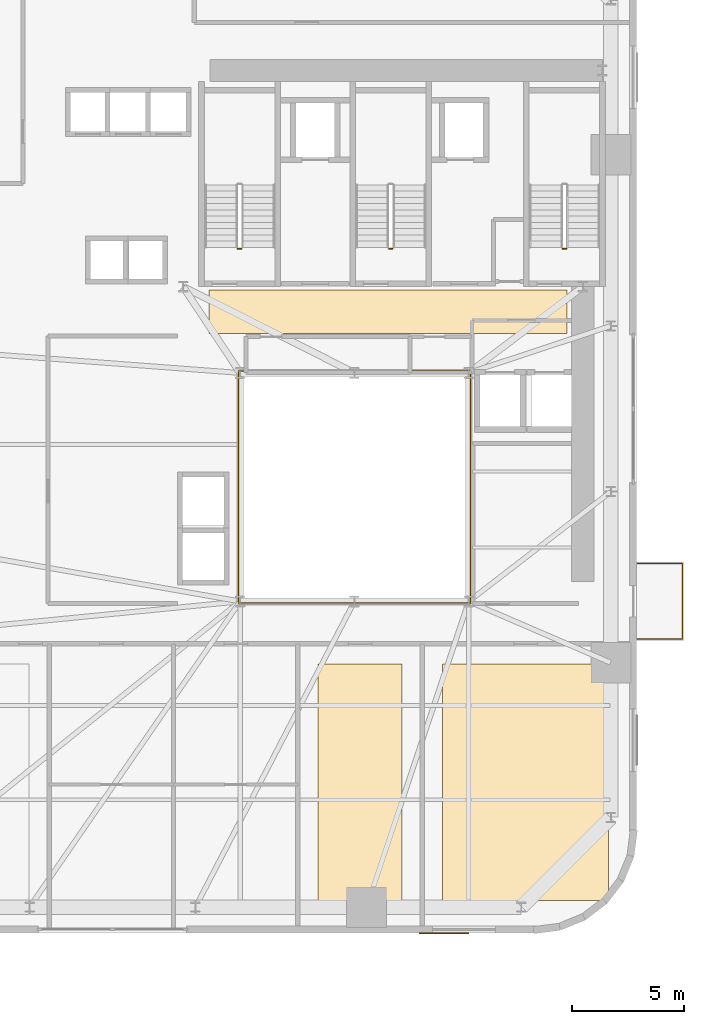
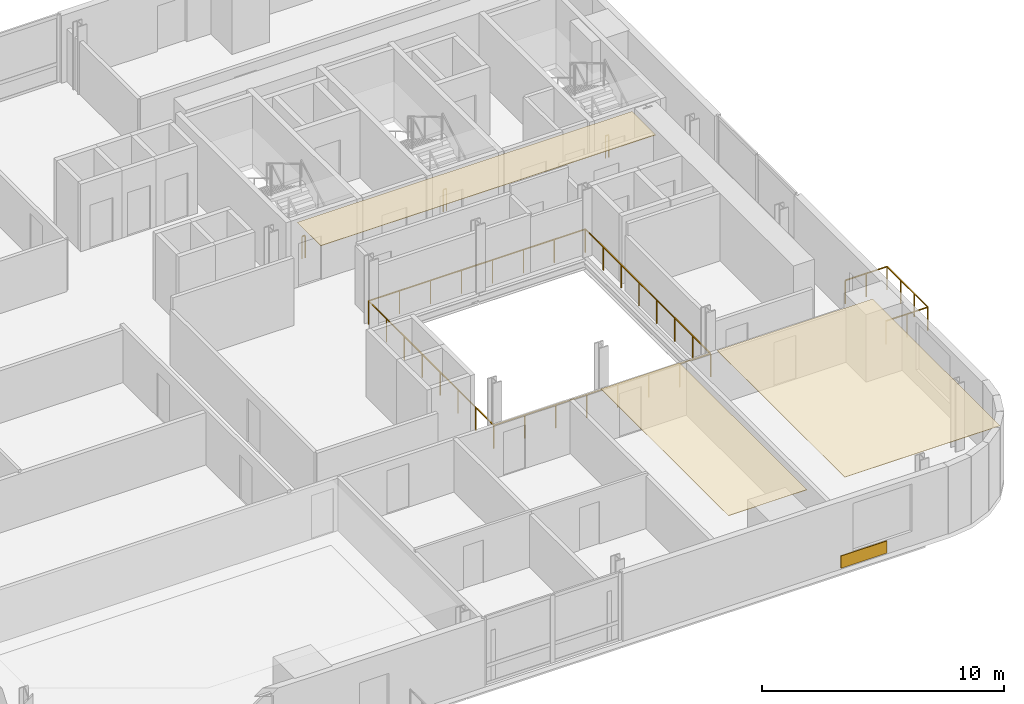
# One storey, part 11 of 13: 5 railings, 4 coverings.
"""IFC4 building model written with IfcOpenShell, lengths in metres."""

from ifc_helpers import new_model, si_unit, direction, frame, origin, origin_2d, place, context, subcontext, project, spatial, polyline, rectangle, outline, extrude, source, transform, mapped, material, layer, layer_set, type_object, element, save


model = new_model("IFC4")

# Units and contexts
model_context = context("Model", 3, precision=1e-05, world=origin(), true_north=direction((0.0, 1.0)))
body_context = subcontext(model_context, "Body", "Model", "MODEL_VIEW")
ifc_project = project(units=[si_unit("LENGTHUNIT", "METRE"), si_unit("AREAUNIT", "SQUARE_METRE"), si_unit("VOLUMEUNIT", "CUBIC_METRE"), si_unit("PLANEANGLEUNIT", "RADIAN"), si_unit("MASSUNIT", "GRAM", prefix="KILO")], contexts=[model_context])

# Site, building, storey
site_placement = place(None, origin())
site = spatial("IfcSite", under=ifc_project, at=site_placement, CompositionType="ELEMENT")
building_placement = place(site_placement, origin())
building = spatial("IfcBuilding", under=site, at=building_placement, Name="Vardaveli Station Tower", CompositionType="ELEMENT")
storey_placement = place(building_placement, frame((0.0, 0.0, 71.39990234375)))
storey = spatial("IfcBuildingStorey", under=building, at=storey_placement, Name="L18", CompositionType="ELEMENT", Elevation=71.39990234375)

# Coverings
ifc_material_1 = material(Name="Perforated acoustic mineral ceiling")
ifc_layer_1 = layer(ifc_material_1, 0.02001953125, Name="Perforated acoustic mineral ceiling")
ifc_layer_set_1 = layer_set([ifc_layer_1], Name="Perforated acoustic mineral ceiling")
covering_type_1 = type_object("IfcCoveringType", Name="COV-CEIL-AC20", PredefinedType="CEILING", material=ifc_layer_set_1)
covering_1_placement = place(storey_placement, frame((0.0, 0.0, 3.39501953125)))
element("IfcCovering", 1, at=covering_1_placement, inside=storey, type_object=covering_type_1, Name="CEIL-L18-2", PredefinedType="CEILING", context=body_context, shape_type="SweptSolid", body=[
    extrude(outline(polyline([(34.6767578125, 3.25), (38.429931640625, 3.25), (38.429931640625, 13.81005859375), (34.6767578125, 13.81005859375), (34.6767578125, 3.25)])), origin(), (0.0, 0.0, 1.0), 0.02001953125),
])
covering_2_placement = place(storey_placement, frame((0.0, 0.0, 3.39501953125)))
element("IfcCovering", 2, at=covering_2_placement, inside=storey, type_object=covering_type_1, Name="CEIL-L18-3", PredefinedType="CEILING", context=body_context, shape_type="SweptSolid", body=[
    extrude(outline(polyline([(40.22998046875, 3.25), (47.64990234375, 3.25), (47.64990234375, 13.81005859375), (40.22998046875, 13.81005859375), (40.22998046875, 3.25)])), origin(), (0.0, 0.0, 1.0), 0.02001953125),
])
covering_3_placement = place(storey_placement, frame((0.0, 0.0, 3.39501953125)))
element("IfcCovering", 3, at=covering_3_placement, inside=storey, type_object=covering_type_1, Name="CEIL-L18-4", PredefinedType="CEILING", context=body_context, shape_type="SweptSolid", body=[
    extrude(outline(polyline([(29.800048828125, 28.550048828125), (45.800048828125, 28.550048828125), (45.800048828125, 30.5), (29.800048828125, 30.5), (29.800048828125, 28.550048828125)])), origin(), (0.0, 0.0, 1.0), 0.02001953125),
])
ifc_material_2 = material(Name="Ventilated honed travertine stone cladding", Category="masonry")
ifc_layer_2 = layer(ifc_material_2, 0.044921875, Name="Ventilated honed travertine stone cladding")
ifc_layer_set_2 = layer_set([ifc_layer_2], Name="Ventilated honed travertine stone cladding")
covering_type_2 = type_object("IfcCoveringType", Name="COV-CLAD-TR45", PredefinedType="CLADDING", material=ifc_layer_set_2)
shared_shape_1 = source(origin(), body_context, "Body", "SweptSolid", [
    extrude(rectangle(XDim=2.199951171875, YDim=0.044921875, at=origin_2d()), origin(), (0.0, 0.0, 1.0), 0.6201171875),
])
covering_4_placement = place(storey_placement, frame((40.294921875, 1.785400390625, 0.070068359375), z_axis=(0.0, 0.0, 1.0), x_axis=(1.0, 0.0, 0.0)))
element("IfcCovering", 4, at=covering_4_placement, inside=storey, type_object=covering_type_2, Name="CLD-TR-L18-S", PredefinedType="CLADDING", context=body_context, shape_type="MappedRepresentation", body=[
    mapped(shared_shape_1, transform((0.0, 0.0, 0.0), scale=1.0)),
])

# Railings
ifc_material_3 = material(Name="Laminated glass and stainless steel balustrade", Category="steel")
railing_type_1 = type_object("IfcRailingType", Name="RL-BAL-1200", PredefinedType="BALUSTRADE", material=ifc_material_3)
shared_shape_2 = source(origin(), body_context, "Body", "SweptSolid", [
    extrude(rectangle(XDim=0.048095703125, YDim=0.048095703125, at=origin_2d()), frame((0.0, 0.0, 1.17578125), z_axis=(1.0, 0.0, 0.0), x_axis=(0.0, 1.0, 0.0)), (0.0, 0.0, 1.0), 2.0),
    extrude(rectangle(XDim=0.048095703125, YDim=0.048095703125, at=origin_2d()), frame((2.0, 0.0, 1.17578125), z_axis=(0.0, 1.0, 0.0), x_axis=(-1.0, 0.0, 0.0)), (0.0, 0.0, 1.0), 3.3798828125),
    extrude(rectangle(XDim=0.048095703125, YDim=0.048095703125, at=origin_2d()), frame((2.0, 3.3798828125, 1.17578125), z_axis=(-1.0, 0.0, 0.0), x_axis=(0.0, -1.0, 0.0)), (0.0, 0.0, 1.0), 2.0),
    extrude(rectangle(XDim=0.0419921875, YDim=0.0419921875, at=origin_2d()), origin(), (0.0, 0.0, 1.0), 1.15185546875),
    extrude(rectangle(XDim=0.0419921875, YDim=0.0419921875, at=origin_2d()), frame((1.0, 0.0, 0.0)), (0.0, 0.0, 1.0), 1.15185546875),
    extrude(rectangle(XDim=0.0419921875, YDim=0.0419921875, at=origin_2d()), frame((2.0, 0.0, 0.0)), (0.0, 0.0, 1.0), 1.15185546875),
    extrude(rectangle(XDim=0.0419921875, YDim=0.0419921875, at=origin_2d()), frame((2.0, 1.126708984375, 0.0)), (0.0, 0.0, 1.0), 1.15185546875),
    extrude(rectangle(XDim=0.0419921875, YDim=0.0419921875, at=origin_2d()), frame((2.0, 2.253173828125, 0.0)), (0.0, 0.0, 1.0), 1.15185546875),
    extrude(rectangle(XDim=0.0419921875, YDim=0.0419921875, at=origin_2d()), frame((2.0, 3.3798828125, 0.0)), (0.0, 0.0, 1.0), 1.15185546875),
    extrude(rectangle(XDim=0.0419921875, YDim=0.0419921875, at=origin_2d()), frame((1.0, 3.3798828125, 0.0)), (0.0, 0.0, 1.0), 1.15185546875),
    extrude(rectangle(XDim=0.0419921875, YDim=0.0419921875, at=origin_2d()), frame((0.0, 3.3798828125, 0.0)), (0.0, 0.0, 1.0), 1.15185546875),
])
railing_1_placement = place(storey_placement, frame((48.93994140625, 14.92041015625, 0.0)))
element("IfcRailing", 5, at=railing_1_placement, inside=storey, type_object=railing_type_1, Name="RL-LOG-L18-04", PredefinedType="BALUSTRADE", context=body_context, shape_type="MappedRepresentation", body=[
    mapped(shared_shape_2, transform((0.0, 0.0, 0.0), scale=1.0)),
])
ifc_material_4 = material(Name="Brushed AISI 316 stainless steel", Category="steel")
railing_type_2 = type_object("IfcRailingType", Name="RL-GUARD-1150", PredefinedType="GUARDRAIL", material=ifc_material_4)
shared_shape_3 = source(origin(), body_context, "Body", "SweptSolid", [
    extrude(rectangle(XDim=0.048095703125, YDim=0.048095703125, at=origin_2d()), frame((0.0, 0.0, 1.1259765625), z_axis=(-1.0, 0.0, 0.0), x_axis=(0.0, -1.0, 0.0)), (0.0, 0.0, 1.0), 0.14990234375),
    extrude(rectangle(XDim=0.0419921875, YDim=0.0419921875, at=origin_2d()), origin(), (0.0, 0.0, 1.0), 1.101806640625),
    extrude(rectangle(XDim=0.0419921875, YDim=0.0419921875, at=origin_2d()), frame((-0.14990234375, 0.0, 0.0)), (0.0, 0.0, 1.0), 1.101806640625),
])
for number, where, name in (
    (6, (31.25, 32.35009765625, 0.0), "L18 ST-1 stair guard 4"),
    (7, (38.0, 32.35009765625, 0.0), "L18 ST-2 stair guard 4"),
    (8, (45.75, 32.35009765625, 0.0), "L18 ST-3 stair guard 4"),
):
    element("IfcRailing", number, at=place(storey_placement, frame(where)), inside=storey, type_object=railing_type_2, Name=name, PredefinedType="GUARDRAIL", context=body_context, shape_type="MappedRepresentation", body=[
        mapped(shared_shape_3, transform((0.0, 0.0, 0.0), scale=1.0)),
    ])
shared_shape_4 = source(origin(), body_context, "Body", "SweptSolid", [
    extrude(rectangle(XDim=0.048095703125, YDim=0.048095703125, at=origin_2d()), frame((0.0, 0.0, 1.17578125), z_axis=(1.0, 0.0, 0.0), x_axis=(0.0, 1.0, 0.0)), (0.0, 0.0, 1.0), 10.35986328125),
    extrude(rectangle(XDim=0.048095703125, YDim=0.048095703125, at=origin_2d()), frame((10.35986328125, 0.0, 1.17578125), z_axis=(0.0, 1.0, 0.0), x_axis=(-1.0, 0.0, 0.0)), (0.0, 0.0, 1.0), 10.35986328125),
    extrude(rectangle(XDim=0.048095703125, YDim=0.048095703125, at=origin_2d()), frame((10.35986328125, 10.35986328125, 1.17578125), z_axis=(-1.0, 0.0, 0.0), x_axis=(0.0, -1.0, 0.0)), (0.0, 0.0, 1.0), 10.35986328125),
    extrude(rectangle(XDim=0.048095703125, YDim=0.048095703125, at=origin_2d()), frame((0.0, 10.35986328125, 1.17578125), z_axis=(0.0, -1.0, 0.0), x_axis=(1.0, 0.0, 0.0)), (0.0, 0.0, 1.0), 10.35986328125),
    extrude(rectangle(XDim=0.0419921875, YDim=0.0419921875, at=origin_2d()), origin(), (0.0, 0.0, 1.0), 1.15185546875),
    extrude(rectangle(XDim=0.0419921875, YDim=0.0419921875, at=origin_2d()), frame((1.47998046875, 0.0, 0.0)), (0.0, 0.0, 1.0), 1.15185546875),
    extrude(rectangle(XDim=0.0419921875, YDim=0.0419921875, at=origin_2d()), frame((2.9599609375, 0.0, 0.0)), (0.0, 0.0, 1.0), 1.15185546875),
    extrude(rectangle(XDim=0.0419921875, YDim=0.0419921875, at=origin_2d()), frame((4.43994140625, 0.0, 0.0)), (0.0, 0.0, 1.0), 1.15185546875),
    extrude(rectangle(XDim=0.0419921875, YDim=0.0419921875, at=origin_2d()), frame((5.919921875, 0.0, 0.0)), (0.0, 0.0, 1.0), 1.15185546875),
    extrude(rectangle(XDim=0.0419921875, YDim=0.0419921875, at=origin_2d()), frame((7.39990234375, 0.0, 0.0)), (0.0, 0.0, 1.0), 1.15185546875),
    extrude(rectangle(XDim=0.0419921875, YDim=0.0419921875, at=origin_2d()), frame((8.8798828125, 0.0, 0.0)), (0.0, 0.0, 1.0), 1.15185546875),
    extrude(rectangle(XDim=0.0419921875, YDim=0.0419921875, at=origin_2d()), frame((10.35986328125, 0.0, 0.0)), (0.0, 0.0, 1.0), 1.15185546875),
    extrude(rectangle(XDim=0.0419921875, YDim=0.0419921875, at=origin_2d()), frame((10.35986328125, 1.47998046875, 0.0)), (0.0, 0.0, 1.0), 1.15185546875),
    extrude(rectangle(XDim=0.0419921875, YDim=0.0419921875, at=origin_2d()), frame((10.35986328125, 2.9599609375, 0.0)), (0.0, 0.0, 1.0), 1.15185546875),
    extrude(rectangle(XDim=0.0419921875, YDim=0.0419921875, at=origin_2d()), frame((10.35986328125, 4.43994140625, 0.0)), (0.0, 0.0, 1.0), 1.15185546875),
    extrude(rectangle(XDim=0.0419921875, YDim=0.0419921875, at=origin_2d()), frame((10.35986328125, 5.919921875, 0.0)), (0.0, 0.0, 1.0), 1.15185546875),
    extrude(rectangle(XDim=0.0419921875, YDim=0.0419921875, at=origin_2d()), frame((10.35986328125, 7.39990234375, 0.0)), (0.0, 0.0, 1.0), 1.15185546875),
    extrude(rectangle(XDim=0.0419921875, YDim=0.0419921875, at=origin_2d()), frame((10.35986328125, 8.8798828125, 0.0)), (0.0, 0.0, 1.0), 1.15185546875),
    extrude(rectangle(XDim=0.0419921875, YDim=0.0419921875, at=origin_2d()), frame((10.35986328125, 10.35986328125, 0.0)), (0.0, 0.0, 1.0), 1.15185546875),
    extrude(rectangle(XDim=0.0419921875, YDim=0.0419921875, at=origin_2d()), frame((8.8798828125, 10.35986328125, 0.0)), (0.0, 0.0, 1.0), 1.15185546875),
    extrude(rectangle(XDim=0.0419921875, YDim=0.0419921875, at=origin_2d()), frame((7.39990234375, 10.35986328125, 0.0)), (0.0, 0.0, 1.0), 1.15185546875),
    extrude(rectangle(XDim=0.0419921875, YDim=0.0419921875, at=origin_2d()), frame((5.919921875, 10.35986328125, 0.0)), (0.0, 0.0, 1.0), 1.15185546875),
    extrude(rectangle(XDim=0.0419921875, YDim=0.0419921875, at=origin_2d()), frame((4.43994140625, 10.35986328125, 0.0)), (0.0, 0.0, 1.0), 1.15185546875),
    extrude(rectangle(XDim=0.0419921875, YDim=0.0419921875, at=origin_2d()), frame((2.9599609375, 10.35986328125, 0.0)), (0.0, 0.0, 1.0), 1.15185546875),
    extrude(rectangle(XDim=0.0419921875, YDim=0.0419921875, at=origin_2d()), frame((1.47998046875, 10.35986328125, 0.0)), (0.0, 0.0, 1.0), 1.15185546875),
    extrude(rectangle(XDim=0.0419921875, YDim=0.0419921875, at=origin_2d()), frame((0.0, 10.35986328125, 0.0)), (0.0, 0.0, 1.0), 1.15185546875),
    extrude(rectangle(XDim=0.0419921875, YDim=0.0419921875, at=origin_2d()), frame((0.0, 8.8798828125, 0.0)), (0.0, 0.0, 1.0), 1.15185546875),
    extrude(rectangle(XDim=0.0419921875, YDim=0.0419921875, at=origin_2d()), frame((0.0, 7.39990234375, 0.0)), (0.0, 0.0, 1.0), 1.15185546875),
    extrude(rectangle(XDim=0.0419921875, YDim=0.0419921875, at=origin_2d()), frame((0.0, 5.919921875, 0.0)), (0.0, 0.0, 1.0), 1.15185546875),
    extrude(rectangle(XDim=0.0419921875, YDim=0.0419921875, at=origin_2d()), frame((0.0, 4.43994140625, 0.0)), (0.0, 0.0, 1.0), 1.15185546875),
    extrude(rectangle(XDim=0.0419921875, YDim=0.0419921875, at=origin_2d()), frame((0.0, 2.9599609375, 0.0)), (0.0, 0.0, 1.0), 1.15185546875),
    extrude(rectangle(XDim=0.0419921875, YDim=0.0419921875, at=origin_2d()), frame((0.0, 1.47998046875, 0.0)), (0.0, 0.0, 1.0), 1.15185546875),
])
railing_2_placement = place(storey_placement, frame((31.1201171875, 16.52001953125, 0.0)))
element("IfcRailing", 9, at=railing_2_placement, inside=storey, type_object=railing_type_1, Name="RL-ATR-L18", PredefinedType="BALUSTRADE", context=body_context, shape_type="MappedRepresentation", body=[
    mapped(shared_shape_4, transform((0.0, 0.0, 0.0), scale=1.0)),
])

save(model, "model.ifc")
